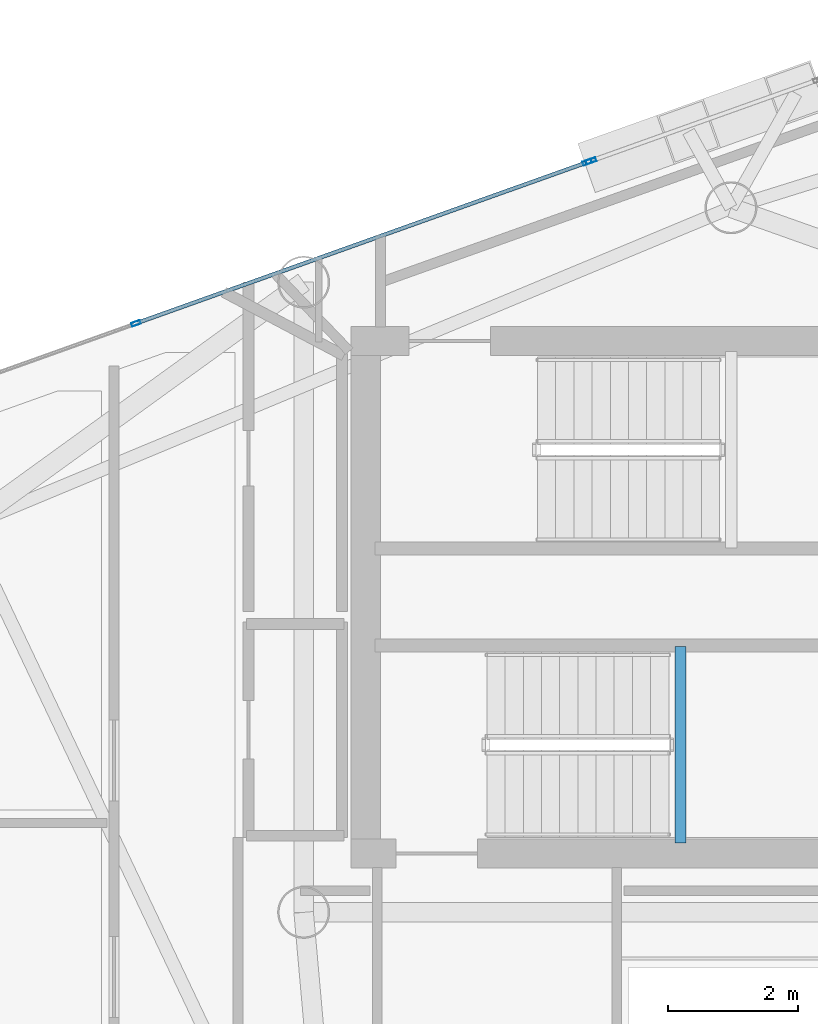
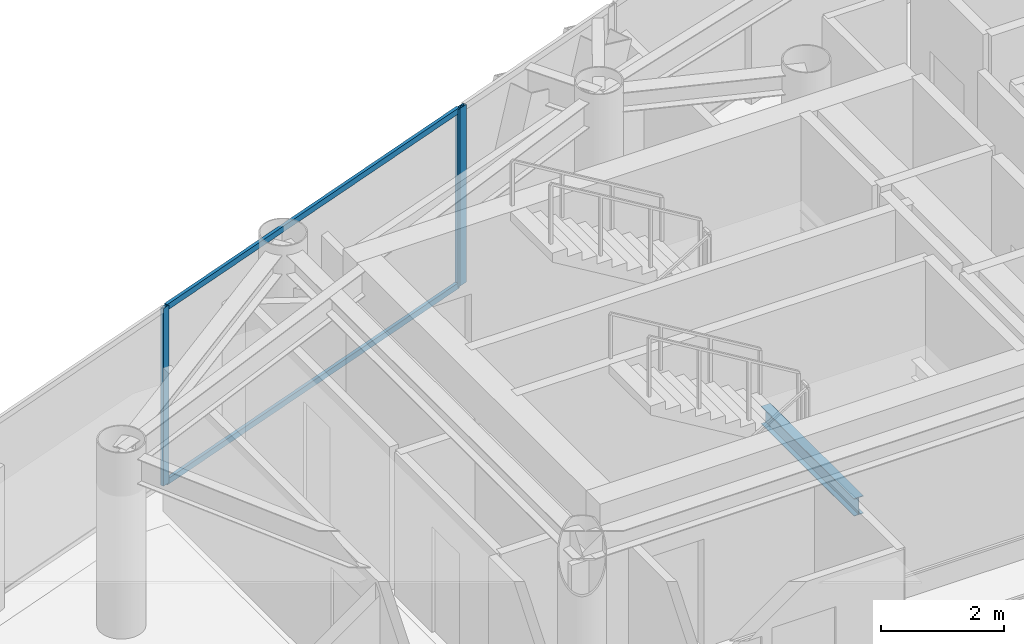
# One storey, part 9 of 18: 5 members, 1 beam, 2 elements without a shape of their own.
"""IFC4 building model written with IfcOpenShell, lengths in metres."""

import ifcopenshell
import ifcopenshell.guid

model = None  # the IFC model being written
_history = None  # IfcOwnerHistory: only IFC2X3 demands one
_inside = {}  # id of a spatial element -> (the spatial element, [elements in it])
_under = {}  # id of a project, library or spatial element -> (it, [spatial elements below it])
_declared = {}  # id of a project -> (the project, [libraries it declares])
_typed = {}  # id of a type object -> (the type object, [elements of that type])
_made_of = {}  # id of a material, layer set ... -> (it, [elements and type objects made of it])


def new_model(schema):
    """Start an empty IFC model of exactly this schema.

    Asked for "IFC4X3", IfcOpenShell would pick the latest addendum, in which some entities
    have other attributes; the version numbers below select the first issue.
    IFC2X3 requires an IfcOwnerHistory on every rooted entity: one is made here for all.
    """
    global model, _history
    if schema == "IFC4X3":
        model = ifcopenshell.file(schema_version=(4, 3, 0, 0))
    else:
        model = ifcopenshell.file(schema=schema)
    _inside.clear()
    _under.clear()
    _declared.clear()
    _typed.clear()
    _made_of.clear()
    _history = None
    if model.schema == "IFC2X3":
        org = make("IfcOrganization", Name="unknown")
        user = make(
            "IfcPersonAndOrganization",
            ThePerson=make("IfcPerson", FamilyName="unknown"),
            TheOrganization=org,
        )
        app = make(
            "IfcApplication",
            ApplicationDeveloper=org,
            Version="unknown",
            ApplicationFullName="unknown",
            ApplicationIdentifier="unknown",
        )
        _history = make(
            "IfcOwnerHistory",
            OwningUser=user,
            OwningApplication=app,
            ChangeAction="ADDED",
            CreationDate=0,
        )
    return model


def make(cls, **values):
    """One entity of the class cls with the attributes given. An attribute that is None is left unset."""
    return model.create_entity(
        cls, **{name: value for name, value in values.items() if value is not None}
    )


def rooted(cls, **values):
    """An entity with a GlobalId (a new one), such as an element, a storey or a relation."""
    return make(cls, GlobalId=ifcopenshell.guid.new(), OwnerHistory=_history, **values)


def si_unit(unit_type, name, prefix=None):
    """IfcSIUnit, for example si_unit("LENGTHUNIT", "METRE", prefix="MILLI")."""
    return make("IfcSIUnit", UnitType=unit_type, Prefix=prefix, Name=name)


def assignment(units):
    """IfcUnitAssignment: the units of a project."""
    return None if units is None else make("IfcUnitAssignment", Units=units)


def point(xyz):
    """IfcCartesianPoint."""
    return None if xyz is None else make("IfcCartesianPoint", Coordinates=xyz)


def direction(xyz):
    """IfcDirection."""
    return None if xyz is None else make("IfcDirection", DirectionRatios=xyz)


def frame(location, z_axis=None, x_axis=None):
    """IfcAxis2Placement3D, a coordinate frame: its origin and axes. An axis left out is left unset."""
    return make(
        "IfcAxis2Placement3D",
        Location=point(location),
        Axis=direction(z_axis),
        RefDirection=direction(x_axis),
    )


def frame_2d(location, x_axis=None):
    """IfcAxis2Placement2D, a coordinate frame in the plane: its origin and x axis."""
    return make(
        "IfcAxis2Placement2D", Location=point(location), RefDirection=direction(x_axis)
    )


def origin():
    """The frame at (0, 0, 0) with its axes left unset."""
    return frame((0.0, 0.0, 0.0))


def origin_2d():
    """The frame at (0, 0) in the plane with its x axis left unset."""
    return frame_2d((0.0, 0.0))


def place(relative_to, where):
    """IfcLocalPlacement: puts the frame where relative to a parent placement (None: the world)."""
    return make(
        "IfcLocalPlacement", PlacementRelTo=relative_to, RelativePlacement=where
    )


def context(
    kind, dimensions, precision=None, world=None, true_north=None, identifier=None
):
    """IfcGeometricRepresentationContext, for example the 3D "Model" context."""
    return make(
        "IfcGeometricRepresentationContext",
        ContextIdentifier=identifier,
        ContextType=kind,
        CoordinateSpaceDimension=dimensions,
        Precision=precision,
        WorldCoordinateSystem=world,
        TrueNorth=true_north,
    )


def subcontext(parent, identifier, kind, view, scale=None):
    """IfcGeometricRepresentationSubContext, for example "Body" below "Model"."""
    return make(
        "IfcGeometricRepresentationSubContext",
        ContextIdentifier=identifier,
        ContextType=kind,
        ParentContext=parent,
        TargetScale=scale,
        TargetView=view,
    )


def project(units=None, contexts=None):
    """IfcProject with its units and contexts."""
    return rooted(
        "IfcProject",
        Name="project",
        RepresentationContexts=contexts,
        UnitsInContext=assignment(units),
    )


def spatial(cls, under=None, at=None, **own):
    """A site, building, storey or space (cls), placed at a placement, below another one or the project."""
    s = rooted(cls, ObjectPlacement=at, **own)
    if under is not None:
        _under.setdefault(under.id(), (under, []))[1].append(s)
    return s


def profile(cls, at=None, kind="AREA", **sizes):
    """A parametric profile (cls). Its sizes go by their IFC names, for example OverallWidth=200.0."""
    return make(cls, ProfileType=kind, Position=at, **sizes)


def hollow_rectangle(**sizes):
    """IfcRectangleHollowProfileDef."""
    return profile("IfcRectangleHollowProfileDef", **sizes)


def i_section(**sizes):
    """IfcIShapeProfileDef."""
    return profile("IfcIShapeProfileDef", **sizes)


def extrude(swept, where, along, depth):
    """IfcExtrudedAreaSolid: the profile swept, set in the frame where, extruded along a direction by depth."""
    return make(
        "IfcExtrudedAreaSolid",
        SweptArea=swept,
        Position=where,
        ExtrudedDirection=direction(along),
        Depth=depth,
    )


def shape(context_of_items, identifier, shape_type, items):
    """IfcShapeRepresentation: the items that make up one representation, for example the "Body"."""
    return make(
        "IfcShapeRepresentation",
        ContextOfItems=context_of_items,
        RepresentationIdentifier=identifier,
        RepresentationType=shape_type,
        Items=items,
    )


def material(Name=None, Category=None):
    """IfcMaterial."""
    return make("IfcMaterial", Name=Name, Category=Category)


def layer(
    of_material, thickness, ventilated=None, Name=None, Category=None, Priority=None
):
    """IfcMaterialLayer: one layer of a wall or slab, of a material (None: an air gap)."""
    return make(
        "IfcMaterialLayer",
        Material=of_material,
        LayerThickness=thickness,
        IsVentilated=ventilated,
        Name=Name,
        Category=Category,
        Priority=Priority,
    )


def layer_set(layers, Name=None):
    """IfcMaterialLayerSet."""
    return make("IfcMaterialLayerSet", MaterialLayers=layers, LayerSetName=Name)


def material_profile(
    of_material, cross_section, Name=None, Category=None, Priority=None
):
    """IfcMaterialProfile: a cross section and its material."""
    return make(
        "IfcMaterialProfile",
        Name=Name,
        Material=of_material,
        Profile=cross_section,
        Priority=Priority,
        Category=Category,
    )


def profile_set(profiles, Name=None, composite=None):
    """IfcMaterialProfileSet."""
    return make(
        "IfcMaterialProfileSet",
        Name=Name,
        MaterialProfiles=profiles,
        CompositeProfile=composite,
    )


def made_of(thing, what):
    """Note that an element or type object is made of a material, layer set ...; save() writes the relation."""
    if what is not None:
        _made_of.setdefault(what.id(), (what, []))[1].append(thing)
    return thing


def type_object(cls, material=None, **own):
    """A type object (cls), such as IfcWallType, which elements share."""
    return made_of(rooted(cls, **own), material)


def element(
    cls,
    number,
    at=None,
    inside=None,
    cuts=None,
    type_object=None,
    material=None,
    context=None,
    identifier="Body",
    shape_type=None,
    held_by="IfcProductDefinitionShape",
    body=None,
    shapes=None,
    **own,
):
    """One element of the class cls, such as IfcWall. Its Tag is "e" and its number.

    at: its placement. inside: the storey or other place that contains it. cuts: it is an
    opening in that element (IfcRelVoidsElement). A single representation is given by context,
    identifier, shape_type and body (its items); several are given by shapes. held_by: the class
    of the entity that holds the representations. save() writes the other relations.
    """
    e = rooted(cls, Tag="e%d" % number, ObjectPlacement=at, **own)
    if body is not None:
        shapes = [shape(context, identifier, shape_type, body)]
    if shapes is not None:
        e.Representation = make(held_by, Representations=shapes)
    if inside is not None:
        _inside.setdefault(inside.id(), (inside, []))[1].append(e)
    if cuts is not None:
        rooted(
            "IfcRelVoidsElement", RelatingBuildingElement=cuts, RelatedOpeningElement=e
        )
    if type_object is not None:
        _typed.setdefault(type_object.id(), (type_object, []))[1].append(e)
    return made_of(e, material)


def aggregate(whole, parts):
    """IfcRelAggregates: a whole, such as a stair, and the parts it consists of."""
    return rooted("IfcRelAggregates", RelatingObject=whole, RelatedObjects=parts)


def save(model, path):
    """Write the relations noted so far, then the file.

    IfcRelAggregates (storeys below a building ...), IfcRelContainedInSpatialStructure (elements
    in a storey), IfcRelDefinesByType, IfcRelAssociatesMaterial and IfcRelDeclares: one each for
    every whole, place, type object, material and project.
    """
    for whole, parts in _under.values():
        aggregate(whole, parts)
    for where, things in _inside.values():
        rooted(
            "IfcRelContainedInSpatialStructure",
            RelatedElements=things,
            RelatingStructure=where,
        )
    for kind, things in _typed.values():
        rooted("IfcRelDefinesByType", RelatedObjects=things, RelatingType=kind)
    for what, things in _made_of.values():
        rooted("IfcRelAssociatesMaterial", RelatedObjects=things, RelatingMaterial=what)
    for by, libraries in _declared.values():
        rooted("IfcRelDeclares", RelatingContext=by, RelatedDefinitions=libraries)
    model.write(path)


model = new_model("IFC4")

# Units and contexts
model_context = context("Model", 3, precision=1e-05, world=origin(), true_north=direction((0.0, 1.0)))
body_context = subcontext(model_context, "Body", "Model", "MODEL_VIEW")
ifc_project = project(units=[si_unit("LENGTHUNIT", "METRE"), si_unit("AREAUNIT", "SQUARE_METRE"), si_unit("VOLUMEUNIT", "CUBIC_METRE"), si_unit("PLANEANGLEUNIT", "RADIAN"), si_unit("MASSUNIT", "GRAM", prefix="KILO")], contexts=[model_context])

# Site, building, storey
site_placement = place(None, origin())
site = spatial("IfcSite", under=ifc_project, at=site_placement, CompositionType="ELEMENT")
building_placement = place(site_placement, origin())
building = spatial("IfcBuilding", under=site, at=building_placement, Name="Qianvela Tower", CompositionType="ELEMENT")
storey_placement = place(building_placement, frame((0.0, 0.0, 337.0)))
storey = spatial("IfcBuildingStorey", under=building, at=storey_placement, Name="L87", CompositionType="ELEMENT", Elevation=337.0)

# Beam
ifc_material_1 = material(Name="Steel Q355B", Category="steel")
ifc_material_profile_1 = material_profile(ifc_material_1, i_section(OverallWidth=0.175048828125, OverallDepth=0.35009765625, WebThickness=0.007080078125, FlangeThickness=0.010986328125, at=origin_2d()), Name="HN350x175x7x11")
ifc_profile_set_1 = profile_set([ifc_material_profile_1], Name="Steel Q355B")
beam_type = type_object("IfcBeamType", Name="BM-HN350-JOIST", PredefinedType="JOIST", material=ifc_profile_set_1)
beam_placement = place(storey_placement, frame((34.39990234375, 24.919921875, 1.47509765625), z_axis=(0.0, 1.0, 0.0), x_axis=(-1.0, 0.0, 0.0)))
element("IfcBeam", 1, at=beam_placement, inside=storey, type_object=beam_type, Name="L87 Stair ST-2 Landing Support Beam 1.1", PredefinedType="JOIST", context=body_context, shape_type="SweptSolid", body=[
    extrude(i_section(OverallWidth=0.175048828125, OverallDepth=0.35009765625, WebThickness=0.007080078125, FlangeThickness=0.010986328125, at=origin_2d()), origin(), (0.0, 0.0, 1.0), 3.02001953125),
])

# Curtain wall, member
ifc_material_2 = material(Name="Anodised Architectural Aluminium and Insulated Spandrel Panel", Category="aluminium")
ifc_layer_1 = layer(ifc_material_2, 0.179931640625)
ifc_layer_set_1 = layer_set([ifc_layer_1], Name="Anodised Architectural Aluminium and Insulated Spandrel Panel")
curtain_wall_type_1 = type_object("IfcCurtainWallType", Name="CW-BRACEBAY", PredefinedType="USERDEFINED", material=ifc_layer_set_1)
curtain_wall_1_placement = place(storey_placement, origin())
curtain_wall_1 = element("IfcCurtainWall", 2, at=curtain_wall_1_placement, inside=storey, type_object=curtain_wall_type_1, Name="L87 CW-BRACEBAY Curtain Wall 02B", ObjectType="CURTAIN_WALL_SYSTEM", PredefinedType="USERDEFINED")
ifc_material_3 = material(Name="Anodised Architectural Aluminium 6063-T6", Category="aluminium")
ifc_material_profile_2 = material_profile(ifc_material_3, hollow_rectangle(XDim=0.06494140625, YDim=0.159912109375, WallThickness=0.0048828125, at=origin_2d()), Name="ALU-MULL-65x160")
ifc_profile_set_2 = profile_set([ifc_material_profile_2], Name="Anodised Architectural Aluminium 6063-T6")
member_type_1 = type_object("IfcMemberType", Name="CW-BRACEBAY-MULL", PredefinedType="MULLION", material=ifc_profile_set_2)
member_1_placement = place(storey_placement, frame((33.024169921875, 35.41650390625, 0.0), z_axis=(0.0, 0.0, 1.0), x_axis=(0.336220757147, -0.941783203537, 0.0)))
member_1 = element("IfcMember", 3, at=member_1_placement, type_object=member_type_1, Name="CW-9 mullion 2", PredefinedType="MULLION", context=body_context, shape_type="SweptSolid", body=[
    extrude(hollow_rectangle(XDim=0.06494140625, YDim=0.159912109375, WallThickness=0.0048828125, at=origin_2d()), origin(), (0.0, 0.0, 1.0), 3.52001953125),
])
aggregate(curtain_wall_1, [member_1])

# Curtain wall, members
ifc_material_4 = material(Name="Anodised Architectural Aluminium and Low-E Glass", Category="aluminium")
ifc_layer_2 = layer(ifc_material_4, 0.14990234375)
ifc_layer_set_2 = layer_set([ifc_layer_2], Name="Anodised Architectural Aluminium and Low-E Glass")
curtain_wall_type_2 = type_object("IfcCurtainWallType", Name="CW-COLIV-Z78", PredefinedType="USERDEFINED", material=ifc_layer_set_2)
curtain_wall_2_placement = place(storey_placement, origin())
curtain_wall_2 = element("IfcCurtainWall", 4, at=curtain_wall_2_placement, inside=storey, type_object=curtain_wall_type_2, Name="L87 CW-COLIV-Z78 Curtain Wall 02C", ObjectType="CURTAIN_WALL_SYSTEM", PredefinedType="USERDEFINED")
ifc_material_5 = material(Name="Anodised Architectural Aluminium 6063-T6", Category="aluminium")
ifc_material_profile_3 = material_profile(ifc_material_5, hollow_rectangle(XDim=0.06005859375, YDim=0.139892578125, WallThickness=0.00439453125, at=origin_2d()), Name="ALU-MULL-60x140")
ifc_profile_set_3 = profile_set([ifc_material_profile_3], Name="Anodised Architectural Aluminium 6063-T6")
member_type_2 = type_object("IfcMemberType", Name="CW-COLIV-Z78-MULL", PredefinedType="MULLION", material=ifc_profile_set_3)
member_2_placement = place(storey_placement, frame((32.96533203125, 35.3955078125, 0.0), z_axis=(0.0, 0.0, 1.0), x_axis=(0.336229469105, -0.941780093284, 0.0)))
member_2 = element("IfcMember", 5, at=member_2_placement, type_object=member_type_2, Name="CW-6 mullion 1", PredefinedType="MULLION", context=body_context, shape_type="SweptSolid", body=[
    extrude(hollow_rectangle(XDim=0.06005859375, YDim=0.139892578125, WallThickness=0.00439453125, at=origin_2d()), origin(), (0.0, 0.0, 1.0), 3.52001953125),
])
member_3_placement = place(storey_placement, frame((26.01904296875, 32.91552734375, 0.0), z_axis=(0.0, 0.0, 1.0), x_axis=(0.336229469105, -0.941780093284, 0.0)))
member_3 = element("IfcMember", 6, at=member_3_placement, type_object=member_type_2, Name="CW-6 mullion 2", PredefinedType="MULLION", context=body_context, shape_type="SweptSolid", body=[
    extrude(hollow_rectangle(XDim=0.06005859375, YDim=0.139892578125, WallThickness=0.00439453125, at=origin_2d()), origin(), (0.0, 0.0, 1.0), 3.52001953125),
])
ifc_material_6 = material(Name="Anodised Architectural Aluminium 6063-T6", Category="aluminium")
ifc_material_profile_4 = material_profile(ifc_material_6, hollow_rectangle(XDim=0.06005859375, YDim=0.114990234375, WallThickness=0.00390625, at=origin_2d()), Name="ALU-TRAN-60x115")
ifc_profile_set_4 = profile_set([ifc_material_profile_4], Name="Anodised Architectural Aluminium 6063-T6")
member_type_3 = type_object("IfcMemberType", Name="CW-COLIV-Z78-TRAN", PredefinedType="USERDEFINED", material=ifc_profile_set_4)
member_4_placement = place(storey_placement, frame((32.93701171875, 35.38525390625, 0.030029296875), z_axis=(-0.941779657668, -0.336230689263, 0.0), x_axis=(0.336230689263, -0.941779657668, 0.0)))
member_4 = element("IfcMember", 7, at=member_4_placement, type_object=member_type_3, Name="CW-6 transom 1.1", ObjectType="TRANSOM", PredefinedType="USERDEFINED", context=body_context, shape_type="SweptSolid", body=[
    extrude(hollow_rectangle(XDim=0.06005859375, YDim=0.114990234375, WallThickness=0.00390625, at=origin_2d()), origin(), (0.0, 0.0, 1.0), 7.315673828125),
])
member_5_placement = place(storey_placement, frame((32.93701171875, 35.38525390625, 3.489990234375), z_axis=(-0.941779657668, -0.336230689263, 0.0), x_axis=(0.336230689263, -0.941779657668, 0.0)))
member_5 = element("IfcMember", 8, at=member_5_placement, type_object=member_type_3, Name="CW-6 transom 1.2", ObjectType="TRANSOM", PredefinedType="USERDEFINED", context=body_context, shape_type="SweptSolid", body=[
    extrude(hollow_rectangle(XDim=0.06005859375, YDim=0.114990234375, WallThickness=0.00390625, at=origin_2d()), origin(), (0.0, 0.0, 1.0), 7.315673828125),
])
aggregate(curtain_wall_2, [member_2, member_3, member_4, member_5])

save(model, "model.ifc")
